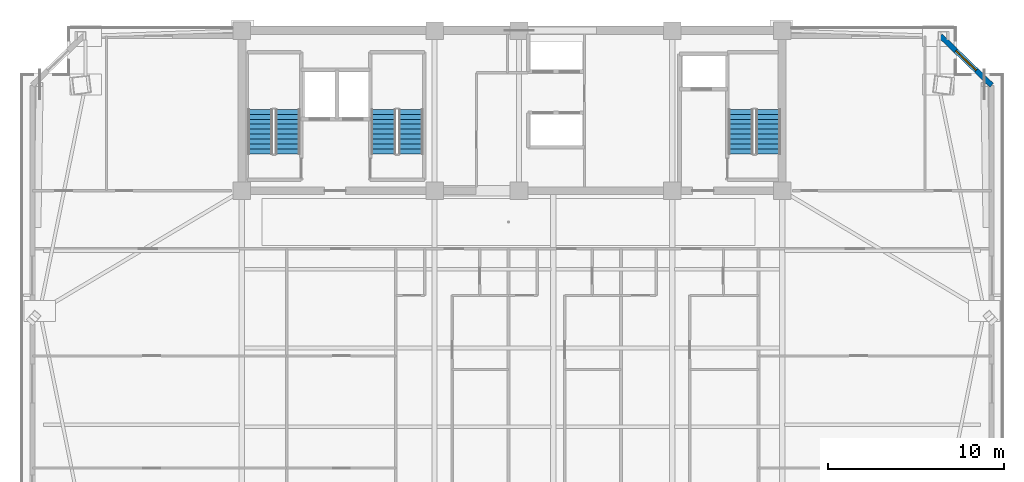
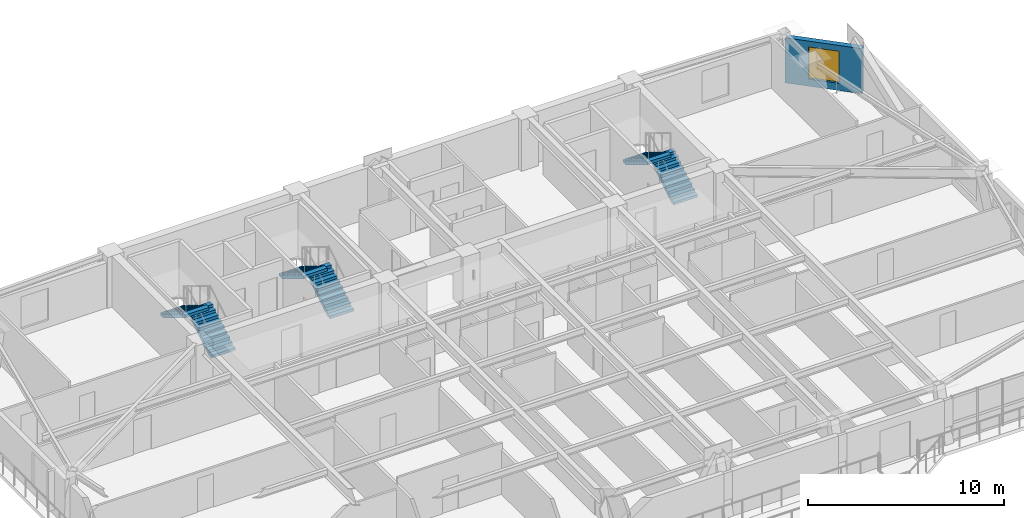
# One storey, part 12 of 18: 6 stair flights, 1 wall, 1 window, 1 opening, 3 elements without a shape of their own.
"""IFC4 building model written with IfcOpenShell, lengths in metres."""

from ifc_helpers import new_model, si_unit, direction, frame, frame_2d, origin, place, context, subcontext, project, spatial, polyline, rectangle, outline, extrude, source, transform, mapped, material, layer, layer_set, type_object, element, fill, aggregate, save


model = new_model("IFC4")

# Units and contexts
model_context = context("Model", 3, precision=1e-05, world=origin(), true_north=direction((0.0, 1.0)))
body_context = subcontext(model_context, "Body", "Model", "MODEL_VIEW")
ifc_project = project(units=[si_unit("LENGTHUNIT", "METRE"), si_unit("AREAUNIT", "SQUARE_METRE"), si_unit("VOLUMEUNIT", "CUBIC_METRE"), si_unit("PLANEANGLEUNIT", "RADIAN"), si_unit("MASSUNIT", "GRAM", prefix="KILO")], contexts=[model_context])

# Site, building, storey
site_placement = place(None, origin())
site = spatial("IfcSite", under=ifc_project, at=site_placement, CompositionType="ELEMENT")
building_placement = place(site_placement, origin())
building = spatial("IfcBuilding", under=site, at=building_placement, Name="Giltprow Tower", CompositionType="ELEMENT")
storey_placement = place(building_placement, frame((0.0, 0.0, 245.10009765625)))
storey = spatial("IfcBuildingStorey", under=building, at=storey_placement, Name="L62", CompositionType="ELEMENT", Elevation=245.10009765625)

# Wall, opening, window
ifc_material_1 = material(Name="Precast concrete C40", Category="concrete")
ifc_layer = layer(ifc_material_1, 0.300048828125, Name="Precast concrete C40")
ifc_layer_set = layer_set([ifc_layer], Name="Precast concrete C40")
wall_type = type_object("IfcWallType", Name="EW-NOTCH-CHAMFER-300", PredefinedType="SOLIDWALL", material=ifc_layer_set)
wall_placement = place(storey_placement, frame((62.451904296875, 43.43896484375, 0.0), z_axis=(0.0, 0.0, 1.0), x_axis=(-0.719337004509, 0.694661265614, 0.0)))
wall = element("IfcWall", 1, at=wall_placement, inside=storey, type_object=wall_type, Name="L62 Corner Notch Wall NE", PredefinedType="SOLIDWALL", context=body_context, shape_type="SweptSolid", body=[
    extrude(rectangle(XDim=4.046630859375, YDim=0.300048828125, at=frame_2d((2.0234375, 0.0))), origin(), (0.0, 0.0, 1.0), 2.81494140625),
])
opening_placement = place(wall_placement, frame((1.222900390625, 0.0, 0.449951171875)))
opening = element("IfcOpeningElement", 2, at=opening_placement, cuts=wall, Name="Opening WN17", PredefinedType="OPENING", context=body_context, shape_type="SweptSolid", body=[
    extrude(rectangle(XDim=1.60009765625, YDim=2.0, at=frame_2d((0.800048828125, 1.0))), frame((0.0, 0.159912109375, 0.0), z_axis=(0.0, -1.0, 0.0), x_axis=(1.0, 0.0, 0.0)), (0.0, 0.0, 1.0), 0.320068359375),
])
ifc_material_2 = material(Name="Insulated glass", Category="glass")
window_type = type_object("IfcWindowType", Name="WN-COR-1600x2000", PartitioningType="SINGLE_PANEL", PredefinedType="WINDOW", material=ifc_material_2)
shared_shape = source(origin(), body_context, "Body", "SweptSolid", [
    extrude(rectangle(XDim=1.60009765625, YDim=2.0, at=frame_2d((0.800048828125, 1.0))), frame((0.0, 0.030029296875, 0.0), z_axis=(0.0, -1.0, 0.0), x_axis=(1.0, 0.0, 0.0)), (0.0, 0.0, 1.0), 0.06005859375),
])
window_placement = place(opening_placement, origin())
window = element("IfcWindow", 3, at=window_placement, inside=storey, type_object=window_type, Name="L62 Corner Notch Window NE", OverallHeight=2.0, OverallWidth=1.60009765625, PartitioningType="SINGLE_PANEL", PredefinedType="WINDOW", context=body_context, shape_type="MappedRepresentation", body=[
    mapped(shared_shape, transform((0.0, 0.0, 0.0), x_axis=(1.0, 0.0, 0.0), y_axis=(0.0, 1.0, 0.0), z_axis=(0.0, 0.0, 1.0), scale=1.0)),
])
fill(opening, window)

# Stair, stair flights
ifc_material_3 = material(Name="Concrete C40", Category="concrete")
stair_type_1 = type_object("IfcStairType", Name="STR-ST-1", PredefinedType="HALF_TURN_STAIR", material=ifc_material_3)
stair_1_placement = place(storey_placement, origin())
stair_1 = element("IfcStair", 4, at=stair_1_placement, inside=storey, type_object=stair_type_1, Name="L62 Core Exit Stair ST-1", PredefinedType="HALF_TURN_STAIR")
stair_flight_type_1 = type_object("IfcStairFlightType", Name="SFL-ST-1", PredefinedType="STRAIGHT", material=ifc_material_3)
stair_flight_1_placement = place(storey_placement, frame((22.4599609375, 39.550048828125, 0.0), z_axis=(0.0, 0.0, 1.0), x_axis=(0.0, 1.0, 0.0)))
stair_flight_1 = element("IfcStairFlight", 5, at=stair_flight_1_placement, type_object=stair_flight_type_1, Name="ST-1 flight 1", NumberOfRisers=10, NumberOfTreads=9, PredefinedType="STRAIGHT", RiserHeight=0.17, TreadLength=0.28, context=body_context, shape_type="SweptSolid", body=[
    extrude(outline(polyline([(0.0, 0.0), (0.0, 0.169921875), (0.280029296875, 0.169921875), (0.280029296875, 0.340087890625), (0.56005859375, 0.340087890625), (0.56005859375, 0.510009765625), (0.840087890625, 0.510009765625), (0.840087890625, 0.679931640625), (1.1201171875, 0.679931640625), (1.1201171875, 0.85009765625), (1.39990234375, 0.85009765625), (1.39990234375, 1.02001953125), (1.679931640625, 1.02001953125), (1.679931640625, 1.18994140625), (1.9599609375, 1.18994140625), (1.9599609375, 1.360107421875), (2.239990234375, 1.360107421875), (2.239990234375, 1.530029296875), (2.52001953125, 1.530029296875), (2.52001953125, 1.699951171875), (2.52001953125, 1.354736328125), (0.288818359375, 0.0), (0.0, 0.0)])), frame((0.0, 0.699951171875, 0.0), z_axis=(0.0, -1.0, 0.0), x_axis=(1.0, 0.0, 0.0)), (0.0, 0.0, 1.0), 1.39990234375),
])
stair_flight_2_placement = place(storey_placement, frame((20.89990234375, 42.070068359375, 1.699951171875), z_axis=(0.0, 0.0, 1.0), x_axis=(0.0, -1.0, 0.0)))
stair_flight_2 = element("IfcStairFlight", 6, at=stair_flight_2_placement, type_object=stair_flight_type_1, Name="ST-1 flight 2", NumberOfRisers=10, NumberOfTreads=9, PredefinedType="STRAIGHT", RiserHeight=0.17, TreadLength=0.28, context=body_context, shape_type="SweptSolid", body=[
    extrude(outline(polyline([(0.0, 0.0), (0.0, 0.169921875), (0.280029296875, 0.169921875), (0.280029296875, 0.340087890625), (0.56005859375, 0.340087890625), (0.56005859375, 0.510009765625), (0.840087890625, 0.510009765625), (0.840087890625, 0.679931640625), (1.1201171875, 0.679931640625), (1.1201171875, 0.85009765625), (1.39990234375, 0.85009765625), (1.39990234375, 1.02001953125), (1.679931640625, 1.02001953125), (1.679931640625, 1.18994140625), (1.9599609375, 1.18994140625), (1.9599609375, 1.360107421875), (2.239990234375, 1.360107421875), (2.239990234375, 1.530029296875), (2.52001953125, 1.530029296875), (2.52001953125, 1.699951171875), (2.52001953125, 1.354736328125), (0.288818359375, 0.0), (0.0, 0.0)])), frame((0.0, 0.699951171875, 0.0), z_axis=(0.0, -1.0, 0.0), x_axis=(1.0, 0.0, 0.0)), (0.0, 0.0, 1.0), 1.39990234375),
])
aggregate(stair_1, [stair_flight_1, stair_flight_2])

stair_type_2 = type_object("IfcStairType", Name="STR-ST-2", PredefinedType="HALF_TURN_STAIR", material=ifc_material_3)
stair_2_placement = place(storey_placement, origin())
stair_2 = element("IfcStair", 7, at=stair_2_placement, inside=storey, type_object=stair_type_2, Name="L62 Core Exit Stair ST-2", PredefinedType="HALF_TURN_STAIR")
stair_flight_type_2 = type_object("IfcStairFlightType", Name="SFL-ST-2", PredefinedType="STRAIGHT", material=ifc_material_3)
stair_flight_3_placement = place(storey_placement, frame((29.4599609375, 39.550048828125, 0.0), z_axis=(0.0, 0.0, 1.0), x_axis=(0.0, 1.0, 0.0)))
stair_flight_3 = element("IfcStairFlight", 8, at=stair_flight_3_placement, type_object=stair_flight_type_2, Name="ST-2 flight 1", NumberOfRisers=10, NumberOfTreads=9, PredefinedType="STRAIGHT", RiserHeight=0.17, TreadLength=0.28, context=body_context, shape_type="SweptSolid", body=[
    extrude(outline(polyline([(0.0, 0.0), (0.0, 0.169921875), (0.280029296875, 0.169921875), (0.280029296875, 0.340087890625), (0.56005859375, 0.340087890625), (0.56005859375, 0.510009765625), (0.840087890625, 0.510009765625), (0.840087890625, 0.679931640625), (1.1201171875, 0.679931640625), (1.1201171875, 0.85009765625), (1.39990234375, 0.85009765625), (1.39990234375, 1.02001953125), (1.679931640625, 1.02001953125), (1.679931640625, 1.18994140625), (1.9599609375, 1.18994140625), (1.9599609375, 1.360107421875), (2.239990234375, 1.360107421875), (2.239990234375, 1.530029296875), (2.52001953125, 1.530029296875), (2.52001953125, 1.699951171875), (2.52001953125, 1.354736328125), (0.288818359375, 0.0), (0.0, 0.0)])), frame((0.0, 0.699951171875, 0.0), z_axis=(0.0, -1.0, 0.0), x_axis=(1.0, 0.0, 0.0)), (0.0, 0.0, 1.0), 1.39990234375),
])
stair_flight_4_placement = place(storey_placement, frame((27.89990234375, 42.070068359375, 1.699951171875), z_axis=(0.0, 0.0, 1.0), x_axis=(0.0, -1.0, 0.0)))
stair_flight_4 = element("IfcStairFlight", 9, at=stair_flight_4_placement, type_object=stair_flight_type_2, Name="ST-2 flight 2", NumberOfRisers=10, NumberOfTreads=9, PredefinedType="STRAIGHT", RiserHeight=0.17, TreadLength=0.28, context=body_context, shape_type="SweptSolid", body=[
    extrude(outline(polyline([(0.0, 0.0), (0.0, 0.169921875), (0.280029296875, 0.169921875), (0.280029296875, 0.340087890625), (0.56005859375, 0.340087890625), (0.56005859375, 0.510009765625), (0.840087890625, 0.510009765625), (0.840087890625, 0.679931640625), (1.1201171875, 0.679931640625), (1.1201171875, 0.85009765625), (1.39990234375, 0.85009765625), (1.39990234375, 1.02001953125), (1.679931640625, 1.02001953125), (1.679931640625, 1.18994140625), (1.9599609375, 1.18994140625), (1.9599609375, 1.360107421875), (2.239990234375, 1.360107421875), (2.239990234375, 1.530029296875), (2.52001953125, 1.530029296875), (2.52001953125, 1.699951171875), (2.52001953125, 1.354736328125), (0.288818359375, 0.0), (0.0, 0.0)])), frame((0.0, 0.699951171875, 0.0), z_axis=(0.0, -1.0, 0.0), x_axis=(1.0, 0.0, 0.0)), (0.0, 0.0, 1.0), 1.39990234375),
])
aggregate(stair_2, [stair_flight_3, stair_flight_4])

stair_type_3 = type_object("IfcStairType", Name="STR-ST-3", PredefinedType="HALF_TURN_STAIR", material=ifc_material_3)
stair_3_placement = place(storey_placement, origin())
stair_3 = element("IfcStair", 10, at=stair_3_placement, inside=storey, type_object=stair_type_3, Name="L62 Core Exit Stair ST-3", PredefinedType="HALF_TURN_STAIR")
stair_flight_type_3 = type_object("IfcStairFlightType", Name="SFL-ST-3", PredefinedType="STRAIGHT", material=ifc_material_3)
stair_flight_5_placement = place(storey_placement, frame((49.760009765625, 39.550048828125, 0.0), z_axis=(0.0, 0.0, 1.0), x_axis=(0.0, 1.0, 0.0)))
stair_flight_5 = element("IfcStairFlight", 11, at=stair_flight_5_placement, type_object=stair_flight_type_3, Name="ST-3 flight 1", NumberOfRisers=10, NumberOfTreads=9, PredefinedType="STRAIGHT", RiserHeight=0.17, TreadLength=0.28, context=body_context, shape_type="SweptSolid", body=[
    extrude(outline(polyline([(0.0, 0.0), (0.0, 0.169921875), (0.280029296875, 0.169921875), (0.280029296875, 0.340087890625), (0.56005859375, 0.340087890625), (0.56005859375, 0.510009765625), (0.840087890625, 0.510009765625), (0.840087890625, 0.679931640625), (1.1201171875, 0.679931640625), (1.1201171875, 0.85009765625), (1.39990234375, 0.85009765625), (1.39990234375, 1.02001953125), (1.679931640625, 1.02001953125), (1.679931640625, 1.18994140625), (1.9599609375, 1.18994140625), (1.9599609375, 1.360107421875), (2.239990234375, 1.360107421875), (2.239990234375, 1.530029296875), (2.52001953125, 1.530029296875), (2.52001953125, 1.699951171875), (2.52001953125, 1.354736328125), (0.288818359375, 0.0), (0.0, 0.0)])), frame((0.0, 0.699951171875, 0.0), z_axis=(0.0, -1.0, 0.0), x_axis=(1.0, 0.0, 0.0)), (0.0, 0.0, 1.0), 1.39990234375),
])
stair_flight_6_placement = place(storey_placement, frame((48.199951171875, 42.070068359375, 1.699951171875), z_axis=(0.0, 0.0, 1.0), x_axis=(0.0, -1.0, 0.0)))
stair_flight_6 = element("IfcStairFlight", 12, at=stair_flight_6_placement, type_object=stair_flight_type_3, Name="ST-3 flight 2", NumberOfRisers=10, NumberOfTreads=9, PredefinedType="STRAIGHT", RiserHeight=0.17, TreadLength=0.28, context=body_context, shape_type="SweptSolid", body=[
    extrude(outline(polyline([(0.0, 0.0), (0.0, 0.169921875), (0.280029296875, 0.169921875), (0.280029296875, 0.340087890625), (0.56005859375, 0.340087890625), (0.56005859375, 0.510009765625), (0.840087890625, 0.510009765625), (0.840087890625, 0.679931640625), (1.1201171875, 0.679931640625), (1.1201171875, 0.85009765625), (1.39990234375, 0.85009765625), (1.39990234375, 1.02001953125), (1.679931640625, 1.02001953125), (1.679931640625, 1.18994140625), (1.9599609375, 1.18994140625), (1.9599609375, 1.360107421875), (2.239990234375, 1.360107421875), (2.239990234375, 1.530029296875), (2.52001953125, 1.530029296875), (2.52001953125, 1.699951171875), (2.52001953125, 1.354736328125), (0.288818359375, 0.0), (0.0, 0.0)])), frame((0.0, 0.699951171875, 0.0), z_axis=(0.0, -1.0, 0.0), x_axis=(1.0, 0.0, 0.0)), (0.0, 0.0, 1.0), 1.39990234375),
])
aggregate(stair_3, [stair_flight_5, stair_flight_6])

save(model, "model.ifc")
